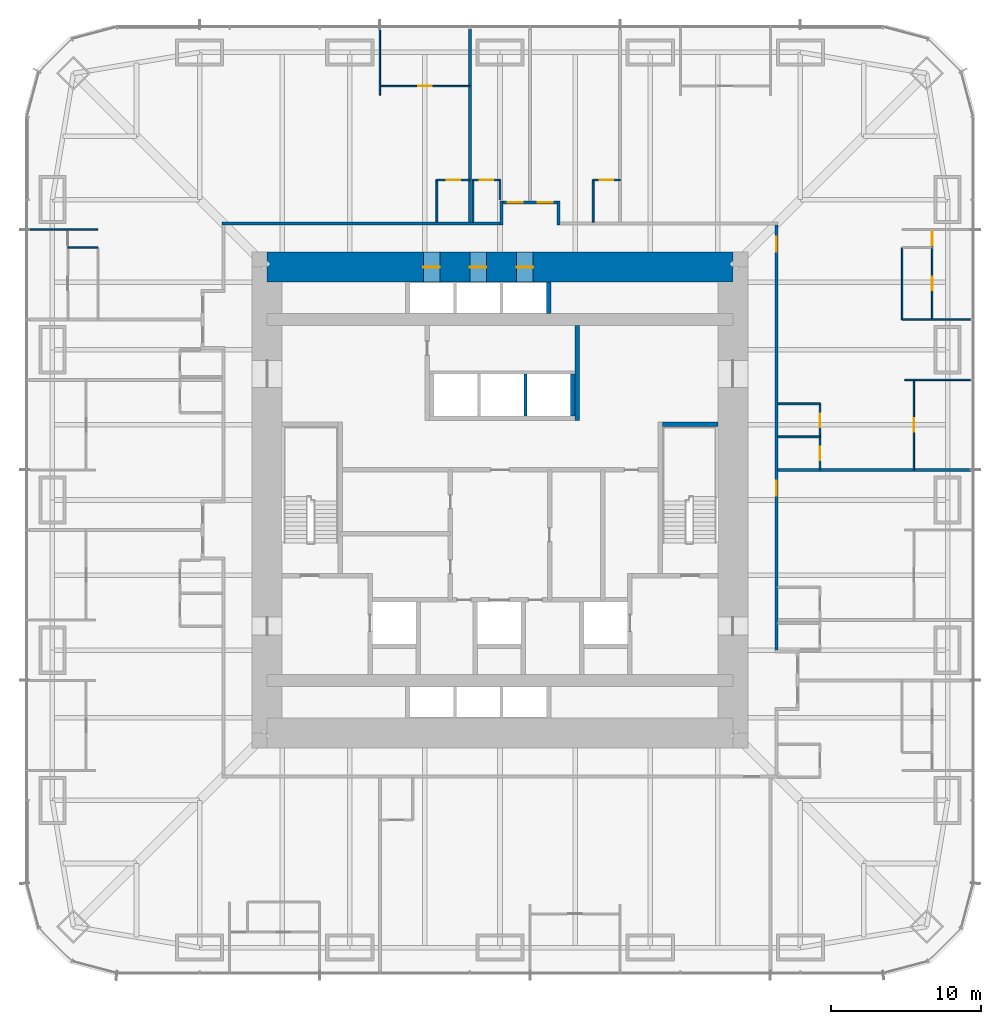
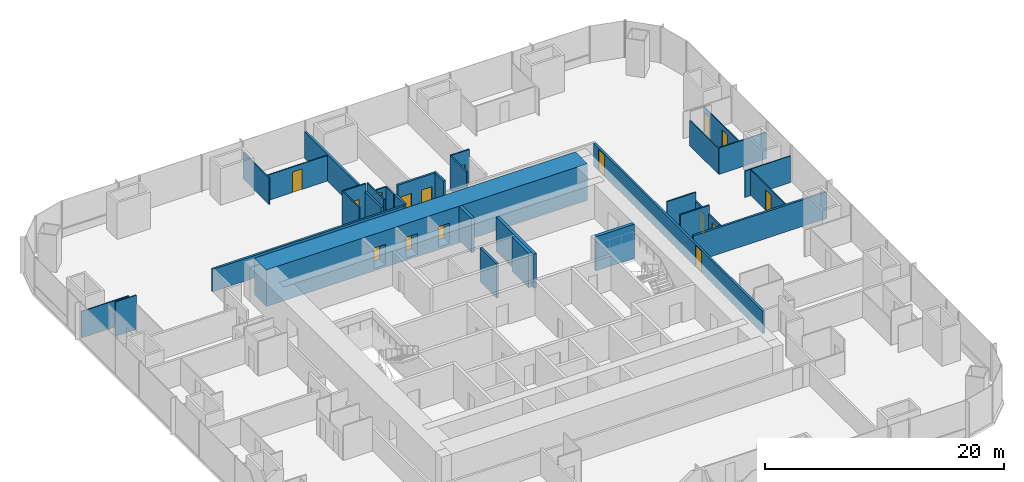
# One storey, part 15 of 17: 32 walls, 16 doors, 16 openings.
"""IFC4 building model written with IfcOpenShell, lengths in metres."""

import ifcopenshell
import ifcopenshell.guid

model = None  # the IFC model being written
_history = None  # IfcOwnerHistory: only IFC2X3 demands one
_inside = {}  # id of a spatial element -> (the spatial element, [elements in it])
_under = {}  # id of a project, library or spatial element -> (it, [spatial elements below it])
_declared = {}  # id of a project -> (the project, [libraries it declares])
_typed = {}  # id of a type object -> (the type object, [elements of that type])
_made_of = {}  # id of a material, layer set ... -> (it, [elements and type objects made of it])


def new_model(schema):
    """Start an empty IFC model of exactly this schema.

    Asked for "IFC4X3", IfcOpenShell would pick the latest addendum, in which some entities
    have other attributes; the version numbers below select the first issue.
    IFC2X3 requires an IfcOwnerHistory on every rooted entity: one is made here for all.
    """
    global model, _history
    if schema == "IFC4X3":
        model = ifcopenshell.file(schema_version=(4, 3, 0, 0))
    else:
        model = ifcopenshell.file(schema=schema)
    _inside.clear()
    _under.clear()
    _declared.clear()
    _typed.clear()
    _made_of.clear()
    _history = None
    if model.schema == "IFC2X3":
        org = make("IfcOrganization", Name="unknown")
        user = make(
            "IfcPersonAndOrganization",
            ThePerson=make("IfcPerson", FamilyName="unknown"),
            TheOrganization=org,
        )
        app = make(
            "IfcApplication",
            ApplicationDeveloper=org,
            Version="unknown",
            ApplicationFullName="unknown",
            ApplicationIdentifier="unknown",
        )
        _history = make(
            "IfcOwnerHistory",
            OwningUser=user,
            OwningApplication=app,
            ChangeAction="ADDED",
            CreationDate=0,
        )
    return model


def make(cls, **values):
    """One entity of the class cls with the attributes given. An attribute that is None is left unset."""
    return model.create_entity(
        cls, **{name: value for name, value in values.items() if value is not None}
    )


def rooted(cls, **values):
    """An entity with a GlobalId (a new one), such as an element, a storey or a relation."""
    return make(cls, GlobalId=ifcopenshell.guid.new(), OwnerHistory=_history, **values)


def si_unit(unit_type, name, prefix=None):
    """IfcSIUnit, for example si_unit("LENGTHUNIT", "METRE", prefix="MILLI")."""
    return make("IfcSIUnit", UnitType=unit_type, Prefix=prefix, Name=name)


def assignment(units):
    """IfcUnitAssignment: the units of a project."""
    return None if units is None else make("IfcUnitAssignment", Units=units)


def point(xyz):
    """IfcCartesianPoint."""
    return None if xyz is None else make("IfcCartesianPoint", Coordinates=xyz)


def direction(xyz):
    """IfcDirection."""
    return None if xyz is None else make("IfcDirection", DirectionRatios=xyz)


def frame(location, z_axis=None, x_axis=None):
    """IfcAxis2Placement3D, a coordinate frame: its origin and axes. An axis left out is left unset."""
    return make(
        "IfcAxis2Placement3D",
        Location=point(location),
        Axis=direction(z_axis),
        RefDirection=direction(x_axis),
    )


def frame_2d(location, x_axis=None):
    """IfcAxis2Placement2D, a coordinate frame in the plane: its origin and x axis."""
    return make(
        "IfcAxis2Placement2D", Location=point(location), RefDirection=direction(x_axis)
    )


def origin():
    """The frame at (0, 0, 0) with its axes left unset."""
    return frame((0.0, 0.0, 0.0))


def place(relative_to, where):
    """IfcLocalPlacement: puts the frame where relative to a parent placement (None: the world)."""
    return make(
        "IfcLocalPlacement", PlacementRelTo=relative_to, RelativePlacement=where
    )


def context(
    kind, dimensions, precision=None, world=None, true_north=None, identifier=None
):
    """IfcGeometricRepresentationContext, for example the 3D "Model" context."""
    return make(
        "IfcGeometricRepresentationContext",
        ContextIdentifier=identifier,
        ContextType=kind,
        CoordinateSpaceDimension=dimensions,
        Precision=precision,
        WorldCoordinateSystem=world,
        TrueNorth=true_north,
    )


def subcontext(parent, identifier, kind, view, scale=None):
    """IfcGeometricRepresentationSubContext, for example "Body" below "Model"."""
    return make(
        "IfcGeometricRepresentationSubContext",
        ContextIdentifier=identifier,
        ContextType=kind,
        ParentContext=parent,
        TargetScale=scale,
        TargetView=view,
    )


def project(units=None, contexts=None):
    """IfcProject with its units and contexts."""
    return rooted(
        "IfcProject",
        Name="project",
        RepresentationContexts=contexts,
        UnitsInContext=assignment(units),
    )


def spatial(cls, under=None, at=None, **own):
    """A site, building, storey or space (cls), placed at a placement, below another one or the project."""
    s = rooted(cls, ObjectPlacement=at, **own)
    if under is not None:
        _under.setdefault(under.id(), (under, []))[1].append(s)
    return s


def profile(cls, at=None, kind="AREA", **sizes):
    """A parametric profile (cls). Its sizes go by their IFC names, for example OverallWidth=200.0."""
    return make(cls, ProfileType=kind, Position=at, **sizes)


def rectangle(**sizes):
    """IfcRectangleProfileDef."""
    return profile("IfcRectangleProfileDef", **sizes)


def extrude(swept, where, along, depth):
    """IfcExtrudedAreaSolid: the profile swept, set in the frame where, extruded along a direction by depth."""
    return make(
        "IfcExtrudedAreaSolid",
        SweptArea=swept,
        Position=where,
        ExtrudedDirection=direction(along),
        Depth=depth,
    )


def shape(context_of_items, identifier, shape_type, items):
    """IfcShapeRepresentation: the items that make up one representation, for example the "Body"."""
    return make(
        "IfcShapeRepresentation",
        ContextOfItems=context_of_items,
        RepresentationIdentifier=identifier,
        RepresentationType=shape_type,
        Items=items,
    )


def material(Name=None, Category=None):
    """IfcMaterial."""
    return make("IfcMaterial", Name=Name, Category=Category)


def layer(
    of_material, thickness, ventilated=None, Name=None, Category=None, Priority=None
):
    """IfcMaterialLayer: one layer of a wall or slab, of a material (None: an air gap)."""
    return make(
        "IfcMaterialLayer",
        Material=of_material,
        LayerThickness=thickness,
        IsVentilated=ventilated,
        Name=Name,
        Category=Category,
        Priority=Priority,
    )


def layer_set(layers, Name=None):
    """IfcMaterialLayerSet."""
    return make("IfcMaterialLayerSet", MaterialLayers=layers, LayerSetName=Name)


def made_of(thing, what):
    """Note that an element or type object is made of a material, layer set ...; save() writes the relation."""
    if what is not None:
        _made_of.setdefault(what.id(), (what, []))[1].append(thing)
    return thing


def type_object(cls, material=None, **own):
    """A type object (cls), such as IfcWallType, which elements share."""
    return made_of(rooted(cls, **own), material)


def element(
    cls,
    number,
    at=None,
    inside=None,
    cuts=None,
    type_object=None,
    material=None,
    context=None,
    identifier="Body",
    shape_type=None,
    held_by="IfcProductDefinitionShape",
    body=None,
    shapes=None,
    **own,
):
    """One element of the class cls, such as IfcWall. Its Tag is "e" and its number.

    at: its placement. inside: the storey or other place that contains it. cuts: it is an
    opening in that element (IfcRelVoidsElement). A single representation is given by context,
    identifier, shape_type and body (its items); several are given by shapes. held_by: the class
    of the entity that holds the representations. save() writes the other relations.
    """
    e = rooted(cls, Tag="e%d" % number, ObjectPlacement=at, **own)
    if body is not None:
        shapes = [shape(context, identifier, shape_type, body)]
    if shapes is not None:
        e.Representation = make(held_by, Representations=shapes)
    if inside is not None:
        _inside.setdefault(inside.id(), (inside, []))[1].append(e)
    if cuts is not None:
        rooted(
            "IfcRelVoidsElement", RelatingBuildingElement=cuts, RelatedOpeningElement=e
        )
    if type_object is not None:
        _typed.setdefault(type_object.id(), (type_object, []))[1].append(e)
    return made_of(e, material)


def fill(opening, filler):
    """IfcRelFillsElement: the door or window that sits in an opening."""
    return rooted(
        "IfcRelFillsElement",
        RelatingOpeningElement=opening,
        RelatedBuildingElement=filler,
    )


def aggregate(whole, parts):
    """IfcRelAggregates: a whole, such as a stair, and the parts it consists of."""
    return rooted("IfcRelAggregates", RelatingObject=whole, RelatedObjects=parts)


def save(model, path):
    """Write the relations noted so far, then the file.

    IfcRelAggregates (storeys below a building ...), IfcRelContainedInSpatialStructure (elements
    in a storey), IfcRelDefinesByType, IfcRelAssociatesMaterial and IfcRelDeclares: one each for
    every whole, place, type object, material and project.
    """
    for whole, parts in _under.values():
        aggregate(whole, parts)
    for where, things in _inside.values():
        rooted(
            "IfcRelContainedInSpatialStructure",
            RelatedElements=things,
            RelatingStructure=where,
        )
    for kind, things in _typed.values():
        rooted("IfcRelDefinesByType", RelatedObjects=things, RelatingType=kind)
    for what, things in _made_of.values():
        rooted("IfcRelAssociatesMaterial", RelatedObjects=things, RelatingMaterial=what)
    for by, libraries in _declared.values():
        rooted("IfcRelDeclares", RelatingContext=by, RelatedDefinitions=libraries)
    model.write(path)


model = new_model("IFC4")

# Units and contexts
model_context = context("Model", 3, precision=1e-05, world=origin(), true_north=direction((0.0, 1.0)))
body_context = subcontext(model_context, "Body", "Model", "MODEL_VIEW")
ifc_project = project(units=[si_unit("LENGTHUNIT", "METRE"), si_unit("AREAUNIT", "SQUARE_METRE"), si_unit("VOLUMEUNIT", "CUBIC_METRE"), si_unit("PLANEANGLEUNIT", "RADIAN"), si_unit("MASSUNIT", "GRAM", prefix="KILO")], contexts=[model_context])

# Site, building, storey
site_placement = place(None, origin())
site = spatial("IfcSite", under=ifc_project, at=site_placement, CompositionType="ELEMENT")
building_placement = place(site_placement, origin())
building = spatial("IfcBuilding", under=site, at=building_placement, Name="Khuree Lantern Residences", CompositionType="ELEMENT")
storey_placement = place(building_placement, frame((0.0, 0.0, 51.0)))
storey = spatial("IfcBuildingStorey", under=building, at=storey_placement, Name="L12", CompositionType="ELEMENT", Elevation=51.0)

# Wall, openings, doors
ifc_material_1 = material(Name="Moisture-resistant gypsum board on steel studs", Category="steel")
ifc_layer_1 = layer(ifc_material_1, 0.125)
ifc_layer_set_1 = layer_set([ifc_layer_1], Name="BATHROOM WALL BTW125")
wall_type_1 = type_object("IfcWallType", Name="BATHROOM WALL BTW125", PredefinedType="PARTITIONING", material=ifc_layer_set_1)
wall_1_placement = place(storey_placement, frame((21.300048828125, 2.0, 0.0), z_axis=(0.0, 0.0, 1.0), x_axis=(0.0, 1.0, 0.0)))
wall_1 = element("IfcWall", 1, at=wall_1_placement, inside=storey, type_object=wall_type_1, Name="L12 BATHROOM WALL 02", PredefinedType="PARTITIONING", context=body_context, shape_type="SweptSolid", body=[
    extrude(rectangle(XDim=4.39990234375, YDim=0.125, at=frame_2d((2.199951171875, 0.0))), origin(), (0.0, 0.0, 1.0), 2.610107421875),
])
opening_1_placement = place(wall_1_placement, frame((0.64990234375, 0.0, 0.0)))
opening_1 = element("IfcOpeningElement", 2, at=opening_1_placement, cuts=wall_1, Name="Opening 12-028", PredefinedType="OPENING", context=body_context, shape_type="SweptSolid", body=[
    extrude(rectangle(XDim=0.89990234375, YDim=2.10009765625, at=frame_2d((0.449951171875, 1.050048828125))), frame((0.0, 0.072509765625, 0.0), z_axis=(0.0, -1.0, 0.0), x_axis=(1.0, 0.0, 0.0)), (0.0, 0.0, 1.0), 0.14501953125),
])
opening_2_placement = place(wall_1_placement, frame((2.85009765625, 0.0, 0.0)))
opening_2 = element("IfcOpeningElement", 3, at=opening_2_placement, cuts=wall_1, Name="Opening 12-029", PredefinedType="OPENING", context=body_context, shape_type="SweptSolid", body=[
    extrude(rectangle(XDim=0.89990234375, YDim=2.10009765625, at=frame_2d((0.449951171875, 1.050048828125))), frame((0.0, 0.072509765625, 0.0), z_axis=(0.0, -1.0, 0.0), x_axis=(1.0, 0.0, 0.0)), (0.0, 0.0, 1.0), 0.14501953125),
])
ifc_material_2 = material(Name="Timber door leaf in hardwood frame", Category="wood")
door_type_1 = type_object("IfcDoorType", Name="BATHROOM DOOR 900X2100", OperationType="SINGLE_SWING_LEFT", PredefinedType="DOOR", material=ifc_material_2)
door_1_placement = place(opening_1_placement, origin())
door_1 = element("IfcDoor", 4, at=door_1_placement, inside=storey, type_object=door_type_1, Name="Bathroom door 12-028", OperationType="SINGLE_SWING_LEFT", OverallHeight=2.10009765625, OverallWidth=0.89990234375, PredefinedType="DOOR", context=body_context, shape_type="SweptSolid", body=[
    extrude(rectangle(XDim=0.89990234375, YDim=2.10009765625, at=frame_2d((0.449951171875, 1.050048828125))), frame((0.0, 0.02490234375, 0.0), z_axis=(0.0, -1.0, 0.0), x_axis=(1.0, 0.0, 0.0)), (0.0, 0.0, 1.0), 0.050048828125),
])
fill(opening_1, door_1)
door_2_placement = place(opening_2_placement, origin())
door_2 = element("IfcDoor", 5, at=door_2_placement, inside=storey, type_object=door_type_1, Name="Bathroom door 12-029", OperationType="SINGLE_SWING_LEFT", OverallHeight=2.10009765625, OverallWidth=0.89990234375, PredefinedType="DOOR", context=body_context, shape_type="SweptSolid", body=[
    extrude(rectangle(XDim=0.89990234375, YDim=2.10009765625, at=frame_2d((0.449951171875, 1.050048828125))), frame((0.0, 0.02490234375, 0.0), z_axis=(0.0, -1.0, 0.0), x_axis=(1.0, 0.0, 0.0)), (0.0, 0.0, 1.0), 0.050048828125),
])
fill(opening_2, door_2)

# Walls
for number, where, z_axis, x_axis, name in (
    (6, (18.5, 4.199951171875, 0.0), (0.0, 0.0, 1.0), (1.0, 0.0, 0.0), "L12 BATHROOM WALL 02"),
    (7, (18.5, 6.39990234375, 0.0), (0.0, 0.0, 1.0), (1.0, 0.0, 0.0), "L12 BATHROOM WALL 02"),
):
    element("IfcWall", number, at=place(storey_placement, frame(where, z_axis=z_axis, x_axis=x_axis)), inside=storey, type_object=wall_type_1, Name=name, PredefinedType="PARTITIONING", context=body_context, shape_type="SweptSolid", body=[
        extrude(rectangle(XDim=2.800048828125, YDim=0.125, at=frame_2d((1.39990234375, 0.0))), origin(), (0.0, 0.0, 1.0), 3.5),
    ])

# Wall, opening, door
wall_2_placement = place(storey_placement, frame((8.0, 21.300048828125, 0.0), z_axis=(0.0, 0.0, 1.0), x_axis=(-1.0, 0.0, 0.0)))
wall_2 = element("IfcWall", 8, at=wall_2_placement, inside=storey, type_object=wall_type_1, Name="L12 BATHROOM WALL 03", PredefinedType="PARTITIONING", context=body_context, shape_type="SweptSolid", body=[
    extrude(rectangle(XDim=1.800048828125, YDim=0.125, at=frame_2d((0.89990234375, 0.0))), origin(), (0.0, 0.0, 1.0), 3.5),
])
opening_3_placement = place(wall_2_placement, frame((0.449951171875, 0.0, 0.0)))
opening_3 = element("IfcOpeningElement", 9, at=opening_3_placement, cuts=wall_2, Name="Opening 12-031", PredefinedType="OPENING", context=body_context, shape_type="SweptSolid", body=[
    extrude(rectangle(XDim=0.89990234375, YDim=2.10009765625, at=frame_2d((0.449951171875, 1.050048828125))), frame((0.0, 0.072509765625, 0.0), z_axis=(0.0, -1.0, 0.0), x_axis=(1.0, 0.0, 0.0)), (0.0, 0.0, 1.0), 0.14501953125),
])
door_3_placement = place(opening_3_placement, origin())
door_3 = element("IfcDoor", 10, at=door_3_placement, inside=storey, type_object=door_type_1, Name="Bathroom door 12-031", OperationType="SINGLE_SWING_LEFT", OverallHeight=2.10009765625, OverallWidth=0.89990234375, PredefinedType="DOOR", context=body_context, shape_type="SweptSolid", body=[
    extrude(rectangle(XDim=0.89990234375, YDim=2.10009765625, at=frame_2d((0.449951171875, 1.050048828125))), frame((0.0, 0.02490234375, 0.0), z_axis=(0.0, -1.0, 0.0), x_axis=(1.0, 0.0, 0.0)), (0.0, 0.0, 1.0), 0.050048828125),
])
fill(opening_3, door_3)

# Wall
wall_3_placement = place(storey_placement, frame((6.199951171875, 18.5, 0.0), z_axis=(0.0, 0.0, 1.0), x_axis=(0.0, 1.0, 0.0)))
element("IfcWall", 11, at=wall_3_placement, inside=storey, type_object=wall_type_1, Name="L12 BATHROOM WALL 03", PredefinedType="PARTITIONING", context=body_context, shape_type="SweptSolid", body=[
    extrude(rectangle(XDim=2.800048828125, YDim=0.125, at=frame_2d((1.39990234375, 0.0))), origin(), (0.0, 0.0, 1.0), 3.5),
])

# Wall, opening, door
wall_4_placement = place(storey_placement, frame((0.0, 21.300048828125, 0.0), z_axis=(0.0, 0.0, 1.0), x_axis=(-1.0, 0.0, 0.0)))
wall_4 = element("IfcWall", 12, at=wall_4_placement, inside=storey, type_object=wall_type_1, Name="L12 BATHROOM WALL 04", PredefinedType="PARTITIONING", context=body_context, shape_type="SweptSolid", body=[
    extrude(rectangle(XDim=1.800048828125, YDim=0.125, at=frame_2d((0.89990234375, 0.0))), origin(), (0.0, 0.0, 1.0), 2.491943359375),
])
opening_4_placement = place(wall_4_placement, frame((0.449951171875, 0.0, 0.0)))
opening_4 = element("IfcOpeningElement", 13, at=opening_4_placement, cuts=wall_4, Name="Opening 12-033", PredefinedType="OPENING", context=body_context, shape_type="SweptSolid", body=[
    extrude(rectangle(XDim=0.89990234375, YDim=2.10009765625, at=frame_2d((0.449951171875, 1.050048828125))), frame((0.0, 0.072509765625, 0.0), z_axis=(0.0, -1.0, 0.0), x_axis=(1.0, 0.0, 0.0)), (0.0, 0.0, 1.0), 0.14501953125),
])
door_4_placement = place(opening_4_placement, origin())
door_4 = element("IfcDoor", 14, at=door_4_placement, inside=storey, type_object=door_type_1, Name="Bathroom door 12-033", OperationType="SINGLE_SWING_LEFT", OverallHeight=2.10009765625, OverallWidth=0.89990234375, PredefinedType="DOOR", context=body_context, shape_type="SweptSolid", body=[
    extrude(rectangle(XDim=0.89990234375, YDim=2.10009765625, at=frame_2d((0.449951171875, 1.050048828125))), frame((0.0, 0.02490234375, 0.0), z_axis=(0.0, -1.0, 0.0), x_axis=(1.0, 0.0, 0.0)), (0.0, 0.0, 1.0), 0.050048828125),
])
fill(opening_4, door_4)

# Walls
wall_5_placement = place(storey_placement, frame((0.0, 19.969970703125, 0.0), z_axis=(0.0, 0.0, 1.0), x_axis=(0.0, 1.0, 0.0)))
element("IfcWall", 15, at=wall_5_placement, inside=storey, type_object=wall_type_1, Name="L12 BATHROOM WALL 04", PredefinedType="PARTITIONING", context=body_context, shape_type="SweptSolid", body=[
    extrude(rectangle(XDim=1.330078125, YDim=0.125, at=frame_2d((0.6650390625, 0.0))), origin(), (0.0, 0.0, 1.0), 2.491943359375),
])
wall_6_placement = place(storey_placement, frame((-1.800048828125, 18.5, 0.0), z_axis=(0.0, 0.0, 1.0), x_axis=(0.0, 1.0, 0.0)))
element("IfcWall", 16, at=wall_6_placement, inside=storey, type_object=wall_type_1, Name="L12 BATHROOM WALL 04", PredefinedType="PARTITIONING", context=body_context, shape_type="SweptSolid", body=[
    extrude(rectangle(XDim=2.800048828125, YDim=0.125, at=frame_2d((1.39990234375, 0.0))), origin(), (0.0, 0.0, 1.0), 3.5),
])

# Wall, opening, door
wall_7_placement = place(storey_placement, frame((-2.0, 21.300048828125, 0.0), z_axis=(0.0, 0.0, 1.0), x_axis=(-1.0, 0.0, 0.0)))
wall_7 = element("IfcWall", 17, at=wall_7_placement, inside=storey, type_object=wall_type_1, Name="L12 BATHROOM WALL 05", PredefinedType="PARTITIONING", context=body_context, shape_type="SweptSolid", body=[
    extrude(rectangle(XDim=2.199951171875, YDim=0.125, at=frame_2d((1.10009765625, 0.0))), origin(), (0.0, 0.0, 1.0), 3.5),
])
opening_5_placement = place(wall_7_placement, frame((0.64990234375, 0.0, 0.0)))
opening_5 = element("IfcOpeningElement", 18, at=opening_5_placement, cuts=wall_7, Name="Opening 12-038", PredefinedType="OPENING", context=body_context, shape_type="SweptSolid", body=[
    extrude(rectangle(XDim=0.89990234375, YDim=2.10009765625, at=frame_2d((0.449951171875, 1.050048828125))), frame((0.0, 0.072509765625, 0.0), z_axis=(0.0, -1.0, 0.0), x_axis=(1.0, 0.0, 0.0)), (0.0, 0.0, 1.0), 0.14501953125),
])
door_5_placement = place(opening_5_placement, origin())
door_5 = element("IfcDoor", 19, at=door_5_placement, inside=storey, type_object=door_type_1, Name="Bathroom door 12-038", OperationType="SINGLE_SWING_LEFT", OverallHeight=2.10009765625, OverallWidth=0.89990234375, PredefinedType="DOOR", context=body_context, shape_type="SweptSolid", body=[
    extrude(rectangle(XDim=0.89990234375, YDim=2.10009765625, at=frame_2d((0.449951171875, 1.050048828125))), frame((0.0, 0.02490234375, 0.0), z_axis=(0.0, -1.0, 0.0), x_axis=(1.0, 0.0, 0.0)), (0.0, 0.0, 1.0), 0.050048828125),
])
fill(opening_5, door_5)

# Walls
wall_8_placement = place(storey_placement, frame((-4.199951171875, 18.5, 0.0), z_axis=(0.0, 0.0, 1.0), x_axis=(0.0, 1.0, 0.0)))
element("IfcWall", 20, at=wall_8_placement, inside=storey, type_object=wall_type_1, Name="L12 BATHROOM WALL 05", PredefinedType="PARTITIONING", context=body_context, shape_type="SweptSolid", body=[
    extrude(rectangle(XDim=2.800048828125, YDim=0.125, at=frame_2d((1.39990234375, 0.0))), origin(), (0.0, 0.0, 1.0), 3.5),
])
ifc_material_3 = material(Name="Dense concrete blockwork", Category="masonry")
ifc_layer_2 = layer(ifc_material_3, 0.300048828125)
ifc_layer_set_2 = layer_set([ifc_layer_2], Name="CORE PARTITION WALL CPW300 EI 120")
wall_type_2 = type_object("IfcWallType", Name="CORE PARTITION WALL CPW300 EI 120", PredefinedType="PARTITIONING", material=ifc_layer_set_2)
wall_9_placement = place(storey_placement, frame((4.85009765625, 5.60009765625, 0.0), z_axis=(0.0, 0.0, 1.0), x_axis=(0.0, 1.0, 0.0)))
element("IfcWall", 21, at=wall_9_placement, inside=storey, type_object=wall_type_2, Name="L12 CORE WALL PHE", PredefinedType="PARTITIONING", context=body_context, shape_type="SweptSolid", body=[
    extrude(rectangle(XDim=2.7998046875, YDim=0.300048828125, at=frame_2d((1.39990234375, 0.0))), origin(), (0.0, 0.0, 1.0), 3.5),
])
wall_10_placement = place(storey_placement, frame((3.25, 12.39990234375, 0.0), z_axis=(0.0, 0.0, 1.0), x_axis=(0.0, 1.0, 0.0)))
element("IfcWall", 22, at=wall_10_placement, inside=storey, type_object=wall_type_2, Name="L12 CORE WALL PLE", PredefinedType="PARTITIONING", context=body_context, shape_type="SweptSolid", body=[
    extrude(rectangle(XDim=2.10009765625, YDim=0.300048828125, at=frame_2d((1.050048828125, 0.0))), origin(), (0.0, 0.0, 1.0), 3.5),
])
wall_11_placement = place(storey_placement, frame((5.14990234375, 5.300048828125, 0.0), z_axis=(0.0, 0.0, 1.0), x_axis=(0.0, 1.0, 0.0)))
element("IfcWall", 23, at=wall_11_placement, inside=storey, type_object=wall_type_2, Name="L12 CORE WALL NE", PredefinedType="PARTITIONING", context=body_context, shape_type="SweptSolid", body=[
    extrude(rectangle(XDim=6.300048828125, YDim=0.300048828125, at=frame_2d((3.14990234375, 0.0))), origin(), (0.0, 0.0, 1.0), 3.5),
])

# Wall, openings, doors
ifc_material_4 = material(Name="Gypsum board on steel studs", Category="steel")
ifc_layer_3 = layer(ifc_material_4, 0.199951171875)
ifc_layer_set_3 = layer_set([ifc_layer_3], Name="CORRIDOR WALL CRW200 EI 60")
wall_type_3 = type_object("IfcWallType", Name="CORRIDOR WALL CRW200 EI 60", PredefinedType="PARTITIONING", material=ifc_layer_set_3)
wall_12_placement = place(storey_placement, frame((18.39990234375, -10.0, 0.0), z_axis=(0.0, 0.0, 1.0), x_axis=(0.0, 1.0, 0.0)))
wall_12 = element("IfcWall", 24, at=wall_12_placement, inside=storey, type_object=wall_type_3, Name="L12 CORRIDOR WALL EAST 2", PredefinedType="PARTITIONING", context=body_context, shape_type="SweptSolid", body=[
    extrude(rectangle(XDim=28.300048828125, YDim=0.199951171875, at=frame_2d((14.14990234375, 0.0))), origin(), (0.0, 0.0, 1.0), 2.300048828125),
])
opening_6_placement = place(wall_12_placement, frame((10.27001953125, 0.0, 0.0)))
opening_6 = element("IfcOpeningElement", 25, at=opening_6_placement, cuts=wall_12, Name="Opening 12-023", PredefinedType="OPENING", context=body_context, shape_type="SweptSolid", body=[
    extrude(rectangle(XDim=1.0, YDim=2.199951171875, at=frame_2d((0.5, 1.10009765625))), frame((0.0, 0.10986328125, 0.0), z_axis=(0.0, -1.0, 0.0), x_axis=(1.0, 0.0, 0.0)), (0.0, 0.0, 1.0), 0.219970703125),
])
opening_7_placement = place(wall_12_placement, frame((26.52001953125, 0.0, 0.0)))
opening_7 = element("IfcOpeningElement", 26, at=opening_7_placement, cuts=wall_12, Name="Opening 12-030", PredefinedType="OPENING", context=body_context, shape_type="SweptSolid", body=[
    extrude(rectangle(XDim=1.0, YDim=2.199951171875, at=frame_2d((0.5, 1.10009765625))), frame((0.0, 0.10986328125, 0.0), z_axis=(0.0, -1.0, 0.0), x_axis=(1.0, 0.0, 0.0)), (0.0, 0.0, 1.0), 0.219970703125),
])
door_type_2 = type_object("IfcDoorType", Name="APARTMENT ENTRANCE DOOR 1000X2200 EI 30S", OperationType="SINGLE_SWING_LEFT", PredefinedType="DOOR", material=ifc_material_2)
door_6_placement = place(opening_6_placement, origin())
door_6 = element("IfcDoor", 27, at=door_6_placement, inside=storey, type_object=door_type_2, Name="Apartment 01 entrance door 12-023", OperationType="SINGLE_SWING_LEFT", OverallHeight=2.199951171875, OverallWidth=1.0, PredefinedType="DOOR", context=body_context, shape_type="SweptSolid", body=[
    extrude(rectangle(XDim=1.0, YDim=2.199951171875, at=frame_2d((0.5, 1.10009765625))), frame((0.0, 0.02490234375, 0.0), z_axis=(0.0, -1.0, 0.0), x_axis=(1.0, 0.0, 0.0)), (0.0, 0.0, 1.0), 0.050048828125),
])
fill(opening_6, door_6)
door_type_3 = type_object("IfcDoorType", Name="APARTMENT ENTRANCE DOOR 1000X2200 EI 30S RIGHT HAND", OperationType="SINGLE_SWING_RIGHT", PredefinedType="DOOR", material=ifc_material_2)
door_7_placement = place(opening_7_placement, origin())
door_7 = element("IfcDoor", 28, at=door_7_placement, inside=storey, type_object=door_type_3, Name="Apartment 02 entrance door 12-030", OperationType="SINGLE_SWING_RIGHT", OverallHeight=2.199951171875, OverallWidth=1.0, PredefinedType="DOOR", context=body_context, shape_type="SweptSolid", body=[
    extrude(rectangle(XDim=1.0, YDim=2.199951171875, at=frame_2d((0.5, 1.10009765625))), frame((0.0, 0.02490234375, 0.0), z_axis=(0.0, -1.0, 0.0), x_axis=(1.0, 0.0, 0.0)), (0.0, 0.0, 1.0), 0.050048828125),
])
fill(opening_7, door_7)

# Walls
wall_13_placement = place(storey_placement, frame((-18.5, 18.39990234375, 0.0), z_axis=(0.0, 0.0, 1.0), x_axis=(1.0, 0.0, 0.0)))
element("IfcWall", 29, at=wall_13_placement, inside=storey, type_object=wall_type_3, Name="L12 CORRIDOR WALL NORTH 1", PredefinedType="PARTITIONING", context=body_context, shape_type="SweptSolid", body=[
    extrude(rectangle(XDim=18.5, YDim=0.199951171875, at=frame_2d((9.25, 0.0))), origin(), (0.0, 0.0, 1.0), 2.300048828125),
])
wall_14_placement = place(storey_placement, frame((0.10009765625, 18.300048828125, 0.0), z_axis=(0.0, 0.0, 1.0), x_axis=(0.0, 1.0, 0.0)))
element("IfcWall", 30, at=wall_14_placement, inside=storey, type_object=wall_type_3, Name="L12 CORRIDOR ALCOVE WALL NORTH", PredefinedType="PARTITIONING", context=body_context, shape_type="SweptSolid", body=[
    extrude(rectangle(XDim=1.599853515625, YDim=0.199951171875, at=frame_2d((0.7998046875, 0.0))), origin(), (0.0, 0.0, 1.0), 2.491943359375),
])
wall_15_placement = place(storey_placement, frame((3.89990234375, 18.300048828125, 0.0), z_axis=(0.0, 0.0, 1.0), x_axis=(0.0, 1.0, 0.0)))
element("IfcWall", 31, at=wall_15_placement, inside=storey, type_object=wall_type_3, Name="L12 CORRIDOR ALCOVE WALL NORTH", PredefinedType="PARTITIONING", context=body_context, shape_type="SweptSolid", body=[
    extrude(rectangle(XDim=1.599853515625, YDim=0.199951171875, at=frame_2d((0.7998046875, 0.0))), origin(), (0.0, 0.0, 1.0), 3.5),
])

# Wall, openings, doors
wall_16_placement = place(storey_placement, frame((0.199951171875, 19.800048828125, 0.0), z_axis=(0.0, 0.0, 1.0), x_axis=(1.0, 0.0, 0.0)))
wall_16 = element("IfcWall", 32, at=wall_16_placement, inside=storey, type_object=wall_type_3, Name="L12 CORRIDOR ALCOVE WALL NORTH", PredefinedType="PARTITIONING", context=body_context, shape_type="SweptSolid", body=[
    extrude(rectangle(XDim=3.60009765625, YDim=0.199951171875, at=frame_2d((1.800048828125, 0.0))), origin(), (0.0, 0.0, 1.0), 3.5),
])
opening_8_placement = place(wall_16_placement, frame((2.300048828125, 0.0, 0.0)))
opening_8 = element("IfcOpeningElement", 33, at=opening_8_placement, cuts=wall_16, Name="Opening 12-032", PredefinedType="OPENING", context=body_context, shape_type="SweptSolid", body=[
    extrude(rectangle(XDim=1.0, YDim=2.199951171875, at=frame_2d((0.5, 1.10009765625))), frame((0.0, 0.10986328125, 0.0), z_axis=(0.0, -1.0, 0.0), x_axis=(1.0, 0.0, 0.0)), (0.0, 0.0, 1.0), 0.219970703125),
])
opening_9_placement = place(wall_16_placement, frame((0.300048828125, 0.0, 0.0)))
opening_9 = element("IfcOpeningElement", 34, at=opening_9_placement, cuts=wall_16, Name="Opening 12-034", PredefinedType="OPENING", context=body_context, shape_type="SweptSolid", body=[
    extrude(rectangle(XDim=1.0, YDim=2.199951171875, at=frame_2d((0.5, 1.10009765625))), frame((0.0, 0.10986328125, 0.0), z_axis=(0.0, -1.0, 0.0), x_axis=(1.0, 0.0, 0.0)), (0.0, 0.0, 1.0), 0.219970703125),
])
door_8_placement = place(opening_8_placement, origin())
door_8 = element("IfcDoor", 35, at=door_8_placement, inside=storey, type_object=door_type_2, Name="Apartment 03 entrance door 12-032", OperationType="SINGLE_SWING_LEFT", OverallHeight=2.199951171875, OverallWidth=1.0, PredefinedType="DOOR", context=body_context, shape_type="SweptSolid", body=[
    extrude(rectangle(XDim=1.0, YDim=2.199951171875, at=frame_2d((0.5, 1.10009765625))), frame((0.0, 0.02490234375, 0.0), z_axis=(0.0, -1.0, 0.0), x_axis=(1.0, 0.0, 0.0)), (0.0, 0.0, 1.0), 0.050048828125),
])
fill(opening_8, door_8)
door_9_placement = place(opening_9_placement, origin())
door_9 = element("IfcDoor", 36, at=door_9_placement, inside=storey, type_object=door_type_2, Name="Apartment 04 entrance door 12-034", OperationType="SINGLE_SWING_LEFT", OverallHeight=2.199951171875, OverallWidth=1.0, PredefinedType="DOOR", context=body_context, shape_type="SweptSolid", body=[
    extrude(rectangle(XDim=1.0, YDim=2.199951171875, at=frame_2d((0.5, 1.10009765625))), frame((0.0, 0.02490234375, 0.0), z_axis=(0.0, -1.0, 0.0), x_axis=(1.0, 0.0, 0.0)), (0.0, 0.0, 1.0), 0.050048828125),
])
fill(opening_9, door_9)

ifc_material_5 = material(Name="Concrete C70/85", Category="concrete")
ifc_layer_4 = layer(ifc_material_5, 2.0)
ifc_layer_set_4 = layer_set([ifc_layer_4], Name="CW2000-C70 CORE WALL C70 2000")
wall_type_4 = type_object("IfcWallType", Name="CW2000-C70 CORE WALL C70 2000", PredefinedType="SHEAR", material=ifc_layer_set_4)
wall_17_placement = place(storey_placement, frame((-15.5, 15.5, -0.25), z_axis=(0.0, 0.0, 1.0), x_axis=(1.0, 0.0, 0.0)))
wall_17 = element("IfcWall", 37, at=wall_17_placement, inside=storey, type_object=wall_type_4, Name="Core wall N", PredefinedType="SHEAR", context=body_context, shape_type="SweptSolid", body=[
    extrude(rectangle(XDim=31.0, YDim=2.0, at=frame_2d((15.5, 0.0))), origin(), (0.0, 0.0, 1.0), 3.75),
])
opening_10_placement = place(wall_17_placement, frame((10.39990234375, 0.0, 0.25)))
opening_10 = element("IfcOpeningElement", 38, at=opening_10_placement, cuts=wall_17, Name="Opening 12-009", PredefinedType="OPENING", context=body_context, shape_type="SweptSolid", body=[
    extrude(rectangle(XDim=1.10009765625, YDim=2.10009765625, at=frame_2d((0.550048828125, 1.050048828125))), frame((0.0, 1.010009765625, 0.0), z_axis=(0.0, -1.0, 0.0), x_axis=(1.0, 0.0, 0.0)), (0.0, 0.0, 1.0), 2.02001953125),
])
opening_11_placement = place(wall_17_placement, frame((13.5, 0.0, 0.25)))
opening_11 = element("IfcOpeningElement", 39, at=opening_11_placement, cuts=wall_17, Name="Opening 12-010", PredefinedType="OPENING", context=body_context, shape_type="SweptSolid", body=[
    extrude(rectangle(XDim=1.10009765625, YDim=2.10009765625, at=frame_2d((0.550048828125, 1.050048828125))), frame((0.0, 1.010009765625, 0.0), z_axis=(0.0, -1.0, 0.0), x_axis=(1.0, 0.0, 0.0)), (0.0, 0.0, 1.0), 2.02001953125),
])
opening_12_placement = place(wall_17_placement, frame((16.60009765625, 0.0, 0.25)))
opening_12 = element("IfcOpeningElement", 40, at=opening_12_placement, cuts=wall_17, Name="Opening 12-011", PredefinedType="OPENING", context=body_context, shape_type="SweptSolid", body=[
    extrude(rectangle(XDim=1.10009765625, YDim=2.10009765625, at=frame_2d((0.550048828125, 1.050048828125))), frame((0.0, 1.010009765625, 0.0), z_axis=(0.0, -1.0, 0.0), x_axis=(1.0, 0.0, 0.0)), (0.0, 0.0, 1.0), 2.02001953125),
])
ifc_material_6 = material(Name="Stainless steel lift landing door", Category="steel")
door_type_4 = type_object("IfcDoorType", Name="LIFT LANDING DOOR 1100X2100 E 60", OperationType="DOUBLE_DOOR_SLIDING", PredefinedType="DOOR", material=ifc_material_6)
door_10_placement = place(opening_10_placement, origin())
door_10 = element("IfcDoor", 41, at=door_10_placement, inside=storey, type_object=door_type_4, Name="Landing door PL1 12-009", OperationType="DOUBLE_DOOR_SLIDING", OverallHeight=2.10009765625, OverallWidth=1.10009765625, PredefinedType="DOOR", context=body_context, shape_type="SweptSolid", body=[
    extrude(rectangle(XDim=1.10009765625, YDim=2.10009765625, at=frame_2d((0.550048828125, 1.050048828125))), frame((0.0, 0.02490234375, 0.0), z_axis=(0.0, -1.0, 0.0), x_axis=(1.0, 0.0, 0.0)), (0.0, 0.0, 1.0), 0.050048828125),
])
fill(opening_10, door_10)
door_11_placement = place(opening_11_placement, origin())
door_11 = element("IfcDoor", 42, at=door_11_placement, inside=storey, type_object=door_type_4, Name="Landing door PL2 12-010", OperationType="DOUBLE_DOOR_SLIDING", OverallHeight=2.10009765625, OverallWidth=1.10009765625, PredefinedType="DOOR", context=body_context, shape_type="SweptSolid", body=[
    extrude(rectangle(XDim=1.10009765625, YDim=2.10009765625, at=frame_2d((0.550048828125, 1.050048828125))), frame((0.0, 0.02490234375, 0.0), z_axis=(0.0, -1.0, 0.0), x_axis=(1.0, 0.0, 0.0)), (0.0, 0.0, 1.0), 0.050048828125),
])
fill(opening_11, door_11)
door_12_placement = place(opening_12_placement, origin())
door_12 = element("IfcDoor", 43, at=door_12_placement, inside=storey, type_object=door_type_4, Name="Landing door PL3 12-011", OperationType="DOUBLE_DOOR_SLIDING", OverallHeight=2.10009765625, OverallWidth=1.10009765625, PredefinedType="DOOR", context=body_context, shape_type="SweptSolid", body=[
    extrude(rectangle(XDim=1.10009765625, YDim=2.10009765625, at=frame_2d((0.550048828125, 1.050048828125))), frame((0.0, 0.02490234375, 0.0), z_axis=(0.0, -1.0, 0.0), x_axis=(1.0, 0.0, 0.0)), (0.0, 0.0, 1.0), 0.050048828125),
])
fill(opening_12, door_12)

# Walls
ifc_layer_5 = layer(ifc_material_4, 0.199951171875)
ifc_layer_set_5 = layer_set([ifc_layer_5], Name="DEMISING WALL DMW200 EI 90")
wall_type_5 = type_object("IfcWallType", Name="DEMISING WALL DMW200 EI 90", PredefinedType="PARTITIONING", material=ifc_layer_set_5)
for number, where, z_axis, x_axis, name in (
    (44, (18.5, 2.0, 0.0), (0.0, 0.0, 1.0), (1.0, 0.0, 0.0), "L12 DEMISING WALL 02"),
    (45, (-2.0, 18.5, 0.0), (0.0, 0.0, 1.0), (0.0, 1.0, 0.0), "L12 DEMISING WALL 05"),
):
    element("IfcWall", number, at=place(storey_placement, frame(where, z_axis=z_axis, x_axis=x_axis)), inside=storey, type_object=wall_type_5, Name=name, PredefinedType="PARTITIONING", context=body_context, shape_type="SweptSolid", body=[
        extrude(rectangle(XDim=12.85009765625, YDim=0.199951171875, at=frame_2d((6.425048828125, 0.0))), origin(), (0.0, 0.0, 1.0), 2.7099609375),
    ])
ifc_layer_6 = layer(ifc_material_4, 0.10009765625)
ifc_layer_set_6 = layer_set([ifc_layer_6], Name="PARTITION PT100")
wall_type_6 = type_object("IfcWallType", Name="PARTITION PT100", PredefinedType="PARTITIONING", material=ifc_layer_set_6)
wall_18_placement = place(storey_placement, frame((26.949951171875, 8.0, 0.0), z_axis=(0.0, 0.0, 1.0), x_axis=(1.0, 0.0, 0.0)))
element("IfcWall", 46, at=wall_18_placement, inside=storey, type_object=wall_type_6, Name="L12 PARTITION 02", PredefinedType="PARTITIONING", context=body_context, shape_type="SweptSolid", body=[
    extrude(rectangle(XDim=4.400146484375, YDim=0.10009765625, at=frame_2d((2.2001953125, 0.0))), origin(), (0.0, 0.0, 1.0), 2.7099609375),
])
wall_19_placement = place(storey_placement, frame((26.7666015625, 12.0, 0.0), z_axis=(0.0, 0.0, 1.0), x_axis=(1.0, 0.0, 0.0)))
element("IfcWall", 47, at=wall_19_placement, inside=storey, type_object=wall_type_6, Name="L12 PARTITION 02", PredefinedType="PARTITIONING", context=body_context, shape_type="SweptSolid", body=[
    extrude(rectangle(XDim=4.58349609375, YDim=0.10009765625, at=frame_2d((2.291748046875, 0.0))), origin(), (0.0, 0.0, 1.0), 2.7099609375),
])
wall_20_placement = place(storey_placement, frame((-8.0, 26.949951171875, 0.0), z_axis=(0.0, 0.0, 1.0), x_axis=(0.0, 1.0, 0.0)))
element("IfcWall", 48, at=wall_20_placement, inside=storey, type_object=wall_type_6, Name="L12 PARTITION 05", PredefinedType="PARTITIONING", context=body_context, shape_type="SweptSolid", body=[
    extrude(rectangle(XDim=4.400146484375, YDim=0.10009765625, at=frame_2d((2.2001953125, 0.0))), origin(), (0.0, 0.0, 1.0), 2.7099609375),
])
wall_21_placement = place(storey_placement, frame((-26.7666015625, 18.0, 0.0), z_axis=(0.0, 0.0, 1.0), x_axis=(-1.0, 0.0, 0.0)))
element("IfcWall", 49, at=wall_21_placement, inside=storey, type_object=wall_type_6, Name="L12 PARTITION 05", PredefinedType="PARTITIONING", context=body_context, shape_type="SweptSolid", body=[
    extrude(rectangle(XDim=4.58349609375, YDim=0.10009765625, at=frame_2d((2.291748046875, 0.0))), origin(), (0.0, 0.0, 1.0), 2.7099609375),
])

# Wall, opening, door
wall_22_placement = place(storey_placement, frame((27.550048828125, 2.0, 0.0), z_axis=(0.0, 0.0, 1.0), x_axis=(0.0, 1.0, 0.0)))
wall_22 = element("IfcWall", 50, at=wall_22_placement, inside=storey, type_object=wall_type_6, Name="L12 PARTITION 02", PredefinedType="PARTITIONING", context=body_context, shape_type="SweptSolid", body=[
    extrude(rectangle(XDim=6.0, YDim=0.10009765625, at=frame_2d((3.0, 0.0))), origin(), (0.0, 0.0, 1.0), 2.610107421875),
])
opening_13_placement = place(wall_22_placement, frame((2.550048828125, 0.0, 0.0)))
opening_13 = element("IfcOpeningElement", 51, at=opening_13_placement, cuts=wall_22, Name="Opening 12-024", PredefinedType="OPENING", context=body_context, shape_type="SweptSolid", body=[
    extrude(rectangle(XDim=0.89990234375, YDim=2.10009765625, at=frame_2d((0.449951171875, 1.050048828125))), frame((0.0, 0.06005859375, 0.0), z_axis=(0.0, -1.0, 0.0), x_axis=(1.0, 0.0, 0.0)), (0.0, 0.0, 1.0), 0.1201171875),
])
door_type_5 = type_object("IfcDoorType", Name="BEDROOM DOOR 900X2100", OperationType="SINGLE_SWING_LEFT", PredefinedType="DOOR", material=ifc_material_2)
door_13_placement = place(opening_13_placement, origin())
door_13 = element("IfcDoor", 52, at=door_13_placement, inside=storey, type_object=door_type_5, Name="Bedroom door 12-024", OperationType="SINGLE_SWING_LEFT", OverallHeight=2.10009765625, OverallWidth=0.89990234375, PredefinedType="DOOR", context=body_context, shape_type="SweptSolid", body=[
    extrude(rectangle(XDim=0.89990234375, YDim=2.10009765625, at=frame_2d((0.449951171875, 1.050048828125))), frame((0.0, 0.02490234375, 0.0), z_axis=(0.0, -1.0, 0.0), x_axis=(1.0, 0.0, 0.0)), (0.0, 0.0, 1.0), 0.050048828125),
])
fill(opening_13, door_13)

# Wall, openings, doors
wall_23_placement = place(storey_placement, frame((28.7666015625, 12.0, 0.0), z_axis=(0.0, 0.0, 1.0), x_axis=(0.0, 1.0, 0.0)))
wall_23 = element("IfcWall", 53, at=wall_23_placement, inside=storey, type_object=wall_type_6, Name="L12 PARTITION 02", PredefinedType="PARTITIONING", context=body_context, shape_type="SweptSolid", body=[
    extrude(rectangle(XDim=6.0, YDim=0.10009765625, at=frame_2d((3.0, 0.0))), origin(), (0.0, 0.0, 1.0), 2.610107421875),
])
opening_14_placement = place(wall_23_placement, frame((4.949951171875, 0.0, 0.0)))
opening_14 = element("IfcOpeningElement", 54, at=opening_14_placement, cuts=wall_23, Name="Opening 12-025", PredefinedType="OPENING", context=body_context, shape_type="SweptSolid", body=[
    extrude(rectangle(XDim=0.89990234375, YDim=2.10009765625, at=frame_2d((0.449951171875, 1.050048828125))), frame((0.0, 0.06005859375, 0.0), z_axis=(0.0, -1.0, 0.0), x_axis=(1.0, 0.0, 0.0)), (0.0, 0.0, 1.0), 0.1201171875),
])
opening_15_placement = place(wall_23_placement, frame((1.949951171875, 0.0, 0.0)))
opening_15 = element("IfcOpeningElement", 55, at=opening_15_placement, cuts=wall_23, Name="Opening 12-026", PredefinedType="OPENING", context=body_context, shape_type="SweptSolid", body=[
    extrude(rectangle(XDim=0.89990234375, YDim=2.10009765625, at=frame_2d((0.449951171875, 1.050048828125))), frame((0.0, 0.06005859375, 0.0), z_axis=(0.0, -1.0, 0.0), x_axis=(1.0, 0.0, 0.0)), (0.0, 0.0, 1.0), 0.1201171875),
])
door_14_placement = place(opening_14_placement, origin())
door_14 = element("IfcDoor", 56, at=door_14_placement, inside=storey, type_object=door_type_5, Name="Bedroom door 12-025", OperationType="SINGLE_SWING_LEFT", OverallHeight=2.10009765625, OverallWidth=0.89990234375, PredefinedType="DOOR", context=body_context, shape_type="SweptSolid", body=[
    extrude(rectangle(XDim=0.89990234375, YDim=2.10009765625, at=frame_2d((0.449951171875, 1.050048828125))), frame((0.0, 0.02490234375, 0.0), z_axis=(0.0, -1.0, 0.0), x_axis=(1.0, 0.0, 0.0)), (0.0, 0.0, 1.0), 0.050048828125),
])
fill(opening_14, door_14)
door_type_6 = type_object("IfcDoorType", Name="DOOR 900X2100", OperationType="SINGLE_SWING_LEFT", PredefinedType="DOOR", material=ifc_material_2)
door_15_placement = place(opening_15_placement, origin())
door_15 = element("IfcDoor", 57, at=door_15_placement, inside=storey, type_object=door_type_6, Name="Wardrobe door 12-026", OperationType="SINGLE_SWING_LEFT", OverallHeight=2.10009765625, OverallWidth=0.89990234375, PredefinedType="DOOR", context=body_context, shape_type="SweptSolid", body=[
    extrude(rectangle(XDim=0.89990234375, YDim=2.10009765625, at=frame_2d((0.449951171875, 1.050048828125))), frame((0.0, 0.02490234375, 0.0), z_axis=(0.0, -1.0, 0.0), x_axis=(1.0, 0.0, 0.0)), (0.0, 0.0, 1.0), 0.050048828125),
])
fill(opening_15, door_15)

# Wall
wall_24_placement = place(storey_placement, frame((26.7666015625, 12.0, 0.0), z_axis=(0.0, 0.0, 1.0), x_axis=(0.0, 1.0, 0.0)))
element("IfcWall", 58, at=wall_24_placement, inside=storey, type_object=wall_type_6, Name="L12 PARTITION 02", PredefinedType="PARTITIONING", context=body_context, shape_type="SweptSolid", body=[
    extrude(rectangle(XDim=4.800048828125, YDim=0.10009765625, at=frame_2d((2.39990234375, 0.0))), origin(), (0.0, 0.0, 1.0), 2.610107421875),
])

# Wall, opening, door
wall_25_placement = place(storey_placement, frame((-2.0, 27.550048828125, 0.0), z_axis=(0.0, 0.0, 1.0), x_axis=(-1.0, 0.0, 0.0)))
wall_25 = element("IfcWall", 59, at=wall_25_placement, inside=storey, type_object=wall_type_6, Name="L12 PARTITION 05", PredefinedType="PARTITIONING", context=body_context, shape_type="SweptSolid", body=[
    extrude(rectangle(XDim=6.0, YDim=0.10009765625, at=frame_2d((3.0, 0.0))), origin(), (0.0, 0.0, 1.0), 2.610107421875),
])
opening_16_placement = place(wall_25_placement, frame((2.550048828125, 0.0, 0.0)))
opening_16 = element("IfcOpeningElement", 60, at=opening_16_placement, cuts=wall_25, Name="Opening 12-035", PredefinedType="OPENING", context=body_context, shape_type="SweptSolid", body=[
    extrude(rectangle(XDim=0.89990234375, YDim=2.10009765625, at=frame_2d((0.449951171875, 1.050048828125))), frame((0.0, 0.06005859375, 0.0), z_axis=(0.0, -1.0, 0.0), x_axis=(1.0, 0.0, 0.0)), (0.0, 0.0, 1.0), 0.1201171875),
])
door_16_placement = place(opening_16_placement, origin())
door_16 = element("IfcDoor", 61, at=door_16_placement, inside=storey, type_object=door_type_5, Name="Bedroom door 12-035", OperationType="SINGLE_SWING_LEFT", OverallHeight=2.10009765625, OverallWidth=0.89990234375, PredefinedType="DOOR", context=body_context, shape_type="SweptSolid", body=[
    extrude(rectangle(XDim=0.89990234375, YDim=2.10009765625, at=frame_2d((0.449951171875, 1.050048828125))), frame((0.0, 0.02490234375, 0.0), z_axis=(0.0, -1.0, 0.0), x_axis=(1.0, 0.0, 0.0)), (0.0, 0.0, 1.0), 0.050048828125),
])
fill(opening_16, door_16)

# Walls
wall_26_placement = place(storey_placement, frame((-26.7666015625, 16.800048828125, 0.0), z_axis=(0.0, 0.0, 1.0), x_axis=(-1.0, 0.0, 0.0)))
element("IfcWall", 62, at=wall_26_placement, inside=storey, type_object=wall_type_6, Name="L12 PARTITION 05", PredefinedType="PARTITIONING", context=body_context, shape_type="SweptSolid", body=[
    extrude(rectangle(XDim=2.0, YDim=0.10009765625, at=frame_2d((1.0, 0.0))), origin(), (0.0, 0.0, 1.0), 3.5),
])
ifc_layer_7 = layer(ifc_material_3, 0.199951171875)
ifc_layer_set_7 = layer_set([ifc_layer_7], Name="SHAFT WALL SHW200 EI 120")
wall_type_7 = type_object("IfcWallType", Name="SHAFT WALL SHW200 EI 120", PredefinedType="PARTITIONING", material=ifc_layer_set_7)
wall_27_placement = place(storey_placement, frame((1.699951171875, 5.60009765625, 0.0), z_axis=(0.0, 0.0, 1.0), x_axis=(0.0, 1.0, 0.0)))
element("IfcWall", 63, at=wall_27_placement, inside=storey, type_object=wall_type_7, Name="L12 CORE WALL PHD2", PredefinedType="PARTITIONING", context=body_context, shape_type="SweptSolid", body=[
    extrude(rectangle(XDim=2.7998046875, YDim=0.199951171875, at=frame_2d((1.39990234375, 0.0))), origin(), (0.0, 0.0, 1.0), 3.5),
])
ifc_material_7 = material(Name="Concrete C50/60", Category="concrete")
ifc_layer_8 = layer(ifc_material_7, 0.300048828125)
ifc_layer_set_8 = layer_set([ifc_layer_8], Name="STAIR WALL SRW300 C50/60 REI 240")
wall_type_8 = type_object("IfcWallType", Name="STAIR WALL SRW300 C50/60 REI 240", PredefinedType="SOLIDWALL", material=ifc_layer_set_8)
wall_28_placement = place(storey_placement, frame((14.5, 5.050048828125, 0.0), z_axis=(0.0, 0.0, 1.0), x_axis=(-1.0, 0.0, 0.0)))
element("IfcWall", 64, at=wall_28_placement, inside=storey, type_object=wall_type_8, Name="L12 STAIR WALL ST2N", PredefinedType="SOLIDWALL", context=body_context, shape_type="SweptSolid", body=[
    extrude(rectangle(XDim=3.699951171875, YDim=0.300048828125, at=frame_2d((1.85009765625, 0.0))), origin(), (0.0, 0.0, 1.0), 3.5),
])

save(model, "model.ifc")
